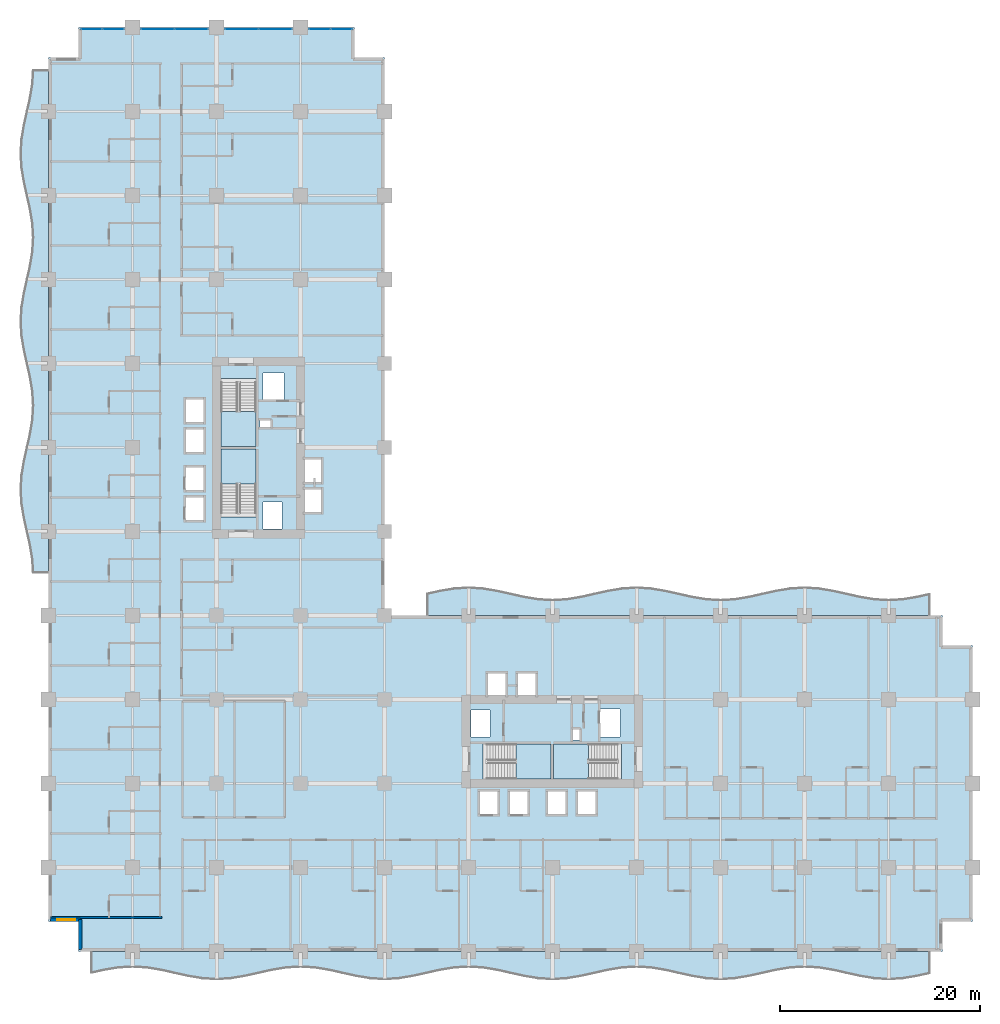
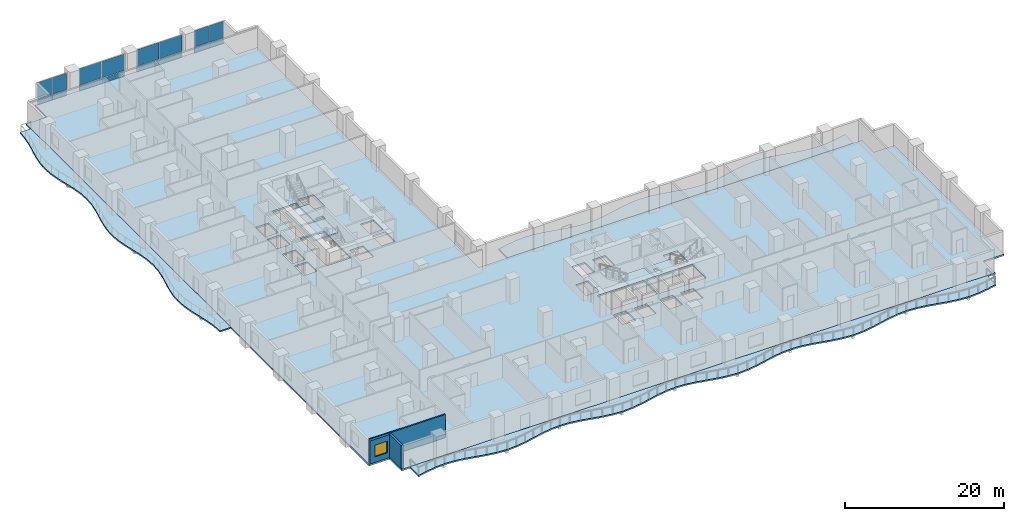
# One storey, part 6 of 23: 16 plates, 8 slabs, 3 walls, 1 window, 1 opening, 8 elements without a shape of their own.
"""IFC4 building model written with IfcOpenShell, lengths in metres."""

from ifc_helpers import new_model, si_unit, direction, frame, frame_2d, origin, origin_2d, place, context, subcontext, project, spatial, polyline, rectangle, outline, extrude, material, layer, layer_set, type_object, element, fill, aggregate, save


model = new_model("IFC4")

# Units and contexts
model_context = context("Model", 3, precision=1e-05, world=origin(), true_north=direction((0.0, 1.0)))
body_context = subcontext(model_context, "Body", "Model", "MODEL_VIEW")
ifc_project = project(units=[si_unit("LENGTHUNIT", "METRE"), si_unit("AREAUNIT", "SQUARE_METRE"), si_unit("VOLUMEUNIT", "CUBIC_METRE"), si_unit("PLANEANGLEUNIT", "RADIAN"), si_unit("MASSUNIT", "GRAM", prefix="KILO")], contexts=[model_context])

# Site, building, storey
site_placement = place(None, origin())
site = spatial("IfcSite", under=ifc_project, at=site_placement, CompositionType="ELEMENT")
building_placement = place(site_placement, origin())
building = spatial("IfcBuilding", under=site, at=building_placement, Name="Koriwani Terraces Tower", CompositionType="ELEMENT")
storey_placement = place(building_placement, frame((0.0, 0.0, 32.0)))
storey = spatial("IfcBuildingStorey", under=building, at=storey_placement, Name="L06", CompositionType="ELEMENT", Elevation=32.0)

# Curtain wall, plates
ifc_material_1 = material(Name="Anodised Bronze Aluminium", Category="aluminium")
ifc_layer_1 = layer(ifc_material_1, 0.179931640625, Name="Anodised Bronze Aluminium")
ifc_layer_set_1 = layer_set([ifc_layer_1], Name="Anodised Bronze Aluminium")
curtain_wall_type = type_object("IfcCurtainWallType", Name="CW_HOTEL_ZONE1", PredefinedType="NOTDEFINED", material=ifc_layer_set_1)
curtain_wall_1_placement = place(storey_placement, origin())
curtain_wall_1 = element("IfcCurtainWall", 1, at=curtain_wall_1_placement, inside=storey, type_object=curtain_wall_type, Name="L06 Unitised Curtain Wall (N_TIP) Bay 1", PredefinedType="NOTDEFINED")
ifc_material_2 = material(Name="Tempered Laminated Low-E Glass", Category="glass")
ifc_layer_2 = layer(ifc_material_2, 0.028076171875, Name="Tempered Laminated Low-E Glass")
ifc_layer_set_2 = layer_set([ifc_layer_2], Name="Tempered Laminated Low-E Glass")
plate_type = type_object("IfcPlateType", Name="CW_PANEL_VISION_28", PredefinedType="CURTAIN_PANEL", material=ifc_layer_set_2)
plate_1_placement = place(storey_placement, frame((4.297607421875, 92.22509765625, 0.06494140625), z_axis=(0.0, 0.0, 1.0), x_axis=(1.0, 0.0, 0.0)))
plate_1 = element("IfcPlate", 2, at=plate_1_placement, type_object=plate_type, Name="CW-Z1 panel 1.1", PredefinedType="CURTAIN_PANEL", context=body_context, shape_type="SweptSolid", body=[
    extrude(rectangle(XDim=2.094970703125, YDim=0.028076171875, at=origin_2d()), origin(), (0.0, 0.0, 1.0), 0.802490234375),
])
plate_2_placement = place(storey_placement, frame((4.297607421875, 92.22509765625, 0.9326171875), z_axis=(0.0, 0.0, 1.0), x_axis=(1.0, 0.0, 0.0)))
plate_2 = element("IfcPlate", 3, at=plate_2_placement, type_object=plate_type, Name="CW-Z1 panel 1.2", PredefinedType="CURTAIN_PANEL", context=body_context, shape_type="SweptSolid", body=[
    extrude(rectangle(XDim=2.094970703125, YDim=0.028076171875, at=origin_2d()), origin(), (0.0, 0.0, 1.0), 2.552490234375),
])
plate_3_placement = place(storey_placement, frame((6.467529296875, 92.22509765625, 0.06494140625), z_axis=(0.0, 0.0, 1.0), x_axis=(1.0, 0.0, 0.0)))
plate_3 = element("IfcPlate", 4, at=plate_3_placement, type_object=plate_type, Name="CW-Z1 panel 2.1", PredefinedType="CURTAIN_PANEL", context=body_context, shape_type="SweptSolid", body=[
    extrude(rectangle(XDim=2.094970703125, YDim=0.028076171875, at=origin_2d()), origin(), (0.0, 0.0, 1.0), 0.802490234375),
])
plate_4_placement = place(storey_placement, frame((6.467529296875, 92.22509765625, 0.9326171875), z_axis=(0.0, 0.0, 1.0), x_axis=(1.0, 0.0, 0.0)))
plate_4 = element("IfcPlate", 5, at=plate_4_placement, type_object=plate_type, Name="CW-Z1 panel 2.2", PredefinedType="CURTAIN_PANEL", context=body_context, shape_type="SweptSolid", body=[
    extrude(rectangle(XDim=2.094970703125, YDim=0.028076171875, at=origin_2d()), origin(), (0.0, 0.0, 1.0), 2.552490234375),
])
aggregate(curtain_wall_1, [plate_1, plate_2, plate_3, plate_4])

curtain_wall_2_placement = place(storey_placement, origin())
curtain_wall_2 = element("IfcCurtainWall", 6, at=curtain_wall_2_placement, inside=storey, type_object=curtain_wall_type, Name="L06 Unitised Curtain Wall (N_TIP) Bay 2", PredefinedType="NOTDEFINED")
plate_5_placement = place(storey_placement, frame((10.923828125, 92.22509765625, 0.06494140625), z_axis=(0.0, 0.0, 1.0), x_axis=(1.0, 0.0, 0.0)))
plate_5 = element("IfcPlate", 7, at=plate_5_placement, type_object=plate_type, Name="CW-Z1 panel 1.1", PredefinedType="CURTAIN_PANEL", context=body_context, shape_type="SweptSolid", body=[
    extrude(rectangle(XDim=3.277587890625, YDim=0.028076171875, at=origin_2d()), origin(), (0.0, 0.0, 1.0), 0.802490234375),
])
plate_6_placement = place(storey_placement, frame((10.923828125, 92.22509765625, 0.9326171875), z_axis=(0.0, 0.0, 1.0), x_axis=(1.0, 0.0, 0.0)))
plate_6 = element("IfcPlate", 8, at=plate_6_placement, type_object=plate_type, Name="CW-Z1 panel 1.2", PredefinedType="CURTAIN_PANEL", context=body_context, shape_type="SweptSolid", body=[
    extrude(rectangle(XDim=3.277587890625, YDim=0.028076171875, at=origin_2d()), origin(), (0.0, 0.0, 1.0), 2.552490234375),
])
plate_7_placement = place(storey_placement, frame((14.2763671875, 92.22509765625, 0.06494140625), z_axis=(0.0, 0.0, 1.0), x_axis=(1.0, 0.0, 0.0)))
plate_7 = element("IfcPlate", 9, at=plate_7_placement, type_object=plate_type, Name="CW-Z1 panel 2.1", PredefinedType="CURTAIN_PANEL", context=body_context, shape_type="SweptSolid", body=[
    extrude(rectangle(XDim=3.277587890625, YDim=0.028076171875, at=origin_2d()), origin(), (0.0, 0.0, 1.0), 0.802490234375),
])
plate_8_placement = place(storey_placement, frame((14.2763671875, 92.22509765625, 0.9326171875), z_axis=(0.0, 0.0, 1.0), x_axis=(1.0, 0.0, 0.0)))
plate_8 = element("IfcPlate", 10, at=plate_8_placement, type_object=plate_type, Name="CW-Z1 panel 2.2", PredefinedType="CURTAIN_PANEL", context=body_context, shape_type="SweptSolid", body=[
    extrude(rectangle(XDim=3.277587890625, YDim=0.028076171875, at=origin_2d()), origin(), (0.0, 0.0, 1.0), 2.552490234375),
])
aggregate(curtain_wall_2, [plate_5, plate_6, plate_7, plate_8])

curtain_wall_3_placement = place(storey_placement, origin())
curtain_wall_3 = element("IfcCurtainWall", 11, at=curtain_wall_3_placement, inside=storey, type_object=curtain_wall_type, Name="L06 Unitised Curtain Wall (N_TIP) Bay 3", PredefinedType="NOTDEFINED")
plate_9_placement = place(storey_placement, frame((19.32373046875, 92.22509765625, 0.06494140625), z_axis=(0.0, 0.0, 1.0), x_axis=(1.0, 0.0, 0.0)))
plate_9 = element("IfcPlate", 12, at=plate_9_placement, type_object=plate_type, Name="CW-Z1 panel 1.1", PredefinedType="CURTAIN_PANEL", context=body_context, shape_type="SweptSolid", body=[
    extrude(rectangle(XDim=3.277587890625, YDim=0.028076171875, at=origin_2d()), origin(), (0.0, 0.0, 1.0), 0.802490234375),
])
plate_10_placement = place(storey_placement, frame((19.32373046875, 92.22509765625, 0.9326171875), z_axis=(0.0, 0.0, 1.0), x_axis=(1.0, 0.0, 0.0)))
plate_10 = element("IfcPlate", 13, at=plate_10_placement, type_object=plate_type, Name="CW-Z1 panel 1.2", PredefinedType="CURTAIN_PANEL", context=body_context, shape_type="SweptSolid", body=[
    extrude(rectangle(XDim=3.277587890625, YDim=0.028076171875, at=origin_2d()), origin(), (0.0, 0.0, 1.0), 2.552490234375),
])
plate_11_placement = place(storey_placement, frame((22.67626953125, 92.22509765625, 0.06494140625), z_axis=(0.0, 0.0, 1.0), x_axis=(1.0, 0.0, 0.0)))
plate_11 = element("IfcPlate", 14, at=plate_11_placement, type_object=plate_type, Name="CW-Z1 panel 2.1", PredefinedType="CURTAIN_PANEL", context=body_context, shape_type="SweptSolid", body=[
    extrude(rectangle(XDim=3.277587890625, YDim=0.028076171875, at=origin_2d()), origin(), (0.0, 0.0, 1.0), 0.802490234375),
])
plate_12_placement = place(storey_placement, frame((22.67626953125, 92.22509765625, 0.9326171875), z_axis=(0.0, 0.0, 1.0), x_axis=(1.0, 0.0, 0.0)))
plate_12 = element("IfcPlate", 15, at=plate_12_placement, type_object=plate_type, Name="CW-Z1 panel 2.2", PredefinedType="CURTAIN_PANEL", context=body_context, shape_type="SweptSolid", body=[
    extrude(rectangle(XDim=3.277587890625, YDim=0.028076171875, at=origin_2d()), origin(), (0.0, 0.0, 1.0), 2.552490234375),
])
aggregate(curtain_wall_3, [plate_9, plate_10, plate_11, plate_12])

curtain_wall_4_placement = place(storey_placement, origin())
curtain_wall_4 = element("IfcCurtainWall", 16, at=curtain_wall_4_placement, inside=storey, type_object=curtain_wall_type, Name="L06 Unitised Curtain Wall (N_TIP) Bay 4", PredefinedType="NOTDEFINED")
plate_13_placement = place(storey_placement, frame((27.132568359375, 92.22509765625, 0.06494140625), z_axis=(0.0, 0.0, 1.0), x_axis=(1.0, 0.0, 0.0)))
plate_13 = element("IfcPlate", 17, at=plate_13_placement, type_object=plate_type, Name="CW-Z1 panel 1.1", PredefinedType="CURTAIN_PANEL", context=body_context, shape_type="SweptSolid", body=[
    extrude(rectangle(XDim=2.094970703125, YDim=0.028076171875, at=origin_2d()), origin(), (0.0, 0.0, 1.0), 0.802490234375),
])
plate_14_placement = place(storey_placement, frame((27.132568359375, 92.22509765625, 0.9326171875), z_axis=(0.0, 0.0, 1.0), x_axis=(1.0, 0.0, 0.0)))
plate_14 = element("IfcPlate", 18, at=plate_14_placement, type_object=plate_type, Name="CW-Z1 panel 1.2", PredefinedType="CURTAIN_PANEL", context=body_context, shape_type="SweptSolid", body=[
    extrude(rectangle(XDim=2.094970703125, YDim=0.028076171875, at=origin_2d()), origin(), (0.0, 0.0, 1.0), 2.552490234375),
])
plate_15_placement = place(storey_placement, frame((29.302490234375, 92.22509765625, 0.06494140625), z_axis=(0.0, 0.0, 1.0), x_axis=(1.0, 0.0, 0.0)))
plate_15 = element("IfcPlate", 19, at=plate_15_placement, type_object=plate_type, Name="CW-Z1 panel 2.1", PredefinedType="CURTAIN_PANEL", context=body_context, shape_type="SweptSolid", body=[
    extrude(rectangle(XDim=2.094970703125, YDim=0.028076171875, at=origin_2d()), origin(), (0.0, 0.0, 1.0), 0.802490234375),
])
plate_16_placement = place(storey_placement, frame((29.302490234375, 92.22509765625, 0.9326171875), z_axis=(0.0, 0.0, 1.0), x_axis=(1.0, 0.0, 0.0)))
plate_16 = element("IfcPlate", 20, at=plate_16_placement, type_object=plate_type, Name="CW-Z1 panel 2.2", PredefinedType="CURTAIN_PANEL", context=body_context, shape_type="SweptSolid", body=[
    extrude(rectangle(XDim=2.094970703125, YDim=0.028076171875, at=origin_2d()), origin(), (0.0, 0.0, 1.0), 2.552490234375),
])
aggregate(curtain_wall_4, [plate_13, plate_14, plate_15, plate_16])

# Slabs
ifc_material_3 = material(Name="Concrete C40/50", Category="concrete")
ifc_layer_3 = layer(ifc_material_3, 0.219970703125, Name="Concrete C40/50")
ifc_layer_set_3 = layer_set([ifc_layer_3], Name="Concrete C40/50")
slab_type_1 = type_object("IfcSlabType", Name="SLAB_BALCONY_220", PredefinedType="FLOOR", material=ifc_layer_set_3)
slab_1_placement = place(storey_placement, frame((0.0, 0.0, -0.219970703125)))
element("IfcSlab", 21, at=slab_1_placement, inside=storey, type_object=slab_type_1, Name="L06 Quilted Circular-Arc Balcony (S)", PredefinedType="FLOOR", context=body_context, shape_type="SweptSolid", body=[
    extrude(outline(polyline([(4.199951171875, 0.0), (5.60009765625, 0.0), (7.0, 0.0), (8.39990234375, 0.0), (9.800048828125, 0.0), (11.199951171875, 0.0), (12.60009765625, 0.0), (14.0, 0.0), (15.39990234375, 0.0), (16.800048828125, 0.0), (18.199951171875, 0.0), (19.60009765625, 0.0), (21.0, 0.0), (22.39990234375, 0.0), (23.800048828125, 0.0), (25.199951171875, 0.0), (26.60009765625, 0.0), (28.0, 0.0), (29.39990234375, 0.0), (30.800048828125, 0.0), (32.199951171875, 0.0), (33.60009765625, 0.0), (35.0, 0.0), (36.39990234375, 0.0), (37.800048828125, 0.0), (39.199951171875, 0.0), (40.60009765625, 0.0), (42.0, 0.0), (43.39990234375, 0.0), (44.800048828125, 0.0), (46.199951171875, 0.0), (47.60009765625, 0.0), (49.0, 0.0), (50.39990234375, 0.0), (51.800048828125, 0.0), (53.199951171875, 0.0), (54.60009765625, 0.0), (56.0, 0.0), (57.39990234375, 0.0), (58.800048828125, 0.0), (60.199951171875, 0.0), (61.60009765625, 0.0), (63.0, 0.0), (64.39990234375, 0.0), (65.800048828125, 0.0), (67.199951171875, 0.0), (68.60009765625, 0.0), (70.0, 0.0), (71.39990234375, 0.0), (72.800048828125, 0.0), (74.199951171875, 0.0), (75.60009765625, 0.0), (77.0, 0.0), (78.39990234375, 0.0), (79.800048828125, 0.0), (81.199951171875, 0.0), (82.60009765625, 0.0), (84.0, 0.0), (85.39990234375, 0.0), (86.800048828125, 0.0), (88.199951171875, 0.0), (88.199951171875, -2.22509765625), (86.800048828125, -2.53759765625), (85.39990234375, -2.766357421875), (84.0, -2.85009765625), (82.60009765625, -2.766357421875), (81.199951171875, -2.53759765625), (79.800048828125, -2.22509765625), (78.39990234375, -1.91259765625), (77.0, -1.68359375), (75.60009765625, -1.60009765625), (74.199951171875, -1.68359375), (72.800048828125, -1.91259765625), (71.39990234375, -2.22509765625), (70.0, -2.53759765625), (68.60009765625, -2.766357421875), (67.199951171875, -2.85009765625), (65.800048828125, -2.766357421875), (64.39990234375, -2.53759765625), (63.0, -2.22509765625), (61.60009765625, -1.91259765625), (60.199951171875, -1.68359375), (58.800048828125, -1.60009765625), (57.39990234375, -1.68359375), (56.0, -1.91259765625), (54.60009765625, -2.22509765625), (53.199951171875, -2.53759765625), (51.800048828125, -2.766357421875), (50.39990234375, -2.85009765625), (49.0, -2.766357421875), (47.60009765625, -2.53759765625), (46.199951171875, -2.22509765625), (44.800048828125, -1.91259765625), (43.39990234375, -1.68359375), (42.0, -1.60009765625), (40.60009765625, -1.68359375), (39.199951171875, -1.91259765625), (37.800048828125, -2.22509765625), (36.39990234375, -2.53759765625), (35.0, -2.766357421875), (33.60009765625, -2.85009765625), (32.199951171875, -2.766357421875), (30.800048828125, -2.53759765625), (29.39990234375, -2.22509765625), (28.0, -1.91259765625), (26.60009765625, -1.68359375), (25.199951171875, -1.60009765625), (23.800048828125, -1.68359375), (22.39990234375, -1.91259765625), (21.0, -2.22509765625), (19.60009765625, -2.53759765625), (18.199951171875, -2.766357421875), (16.800048828125, -2.85009765625), (15.39990234375, -2.766357421875), (14.0, -2.53759765625), (12.60009765625, -2.22509765625), (11.199951171875, -1.91259765625), (9.800048828125, -1.68359375), (8.39990234375, -1.60009765625), (7.0, -1.68359375), (5.60009765625, -1.91259765625), (4.199951171875, -2.22509765625), (4.199951171875, 0.0)])), origin(), (0.0, 0.0, 1.0), 0.219970703125),
])
slab_2_placement = place(storey_placement, frame((0.0, 0.0, -0.219970703125)))
element("IfcSlab", 22, at=slab_2_placement, inside=storey, type_object=slab_type_1, Name="L06 Quilted Circular-Arc Balcony (W)", PredefinedType="FLOOR", context=body_context, shape_type="SweptSolid", body=[
    extrude(outline(polyline([(0.0, 37.800048828125), (0.0, 39.199951171875), (0.0, 40.60009765625), (0.0, 42.0), (0.0, 43.39990234375), (0.0, 44.800048828125), (0.0, 46.199951171875), (0.0, 47.60009765625), (0.0, 49.0), (0.0, 50.39990234375), (0.0, 51.800048828125), (0.0, 53.199951171875), (0.0, 54.60009765625), (0.0, 56.0), (0.0, 57.39990234375), (0.0, 58.800048828125), (0.0, 60.199951171875), (0.0, 61.60009765625), (0.0, 63.0), (0.0, 64.39990234375), (0.0, 65.800048828125), (0.0, 67.199951171875), (0.0, 68.60009765625), (0.0, 70.0), (0.0, 71.39990234375), (0.0, 72.800048828125), (0.0, 74.199951171875), (0.0, 75.60009765625), (0.0, 77.0), (0.0, 78.39990234375), (0.0, 79.800048828125), (0.0, 81.199951171875), (0.0, 82.60009765625), (0.0, 84.0), (0.0, 85.39990234375), (0.0, 86.800048828125), (0.0, 88.199951171875), (-1.60009765625, 88.199951171875), (-1.68359375, 86.800048828125), (-1.91259765625, 85.39990234375), (-2.22509765625, 84.0), (-2.53759765625, 82.60009765625), (-2.766357421875, 81.199951171875), (-2.85009765625, 79.800048828125), (-2.766357421875, 78.39990234375), (-2.53759765625, 77.0), (-2.22509765625, 75.60009765625), (-1.91259765625, 74.199951171875), (-1.68359375, 72.800048828125), (-1.60009765625, 71.39990234375), (-1.68359375, 70.0), (-1.91259765625, 68.60009765625), (-2.22509765625, 67.199951171875), (-2.53759765625, 65.800048828125), (-2.766357421875, 64.39990234375), (-2.85009765625, 63.0), (-2.766357421875, 61.60009765625), (-2.53759765625, 60.199951171875), (-2.22509765625, 58.800048828125), (-1.91259765625, 57.39990234375), (-1.68359375, 56.0), (-1.60009765625, 54.60009765625), (-1.68359375, 53.199951171875), (-1.91259765625, 51.800048828125), (-2.22509765625, 50.39990234375), (-2.53759765625, 49.0), (-2.766357421875, 47.60009765625), (-2.85009765625, 46.199951171875), (-2.766357421875, 44.800048828125), (-2.53759765625, 43.39990234375), (-2.22509765625, 42.0), (-1.91259765625, 40.60009765625), (-1.68359375, 39.199951171875), (-1.60009765625, 37.800048828125), (0.0, 37.800048828125)])), origin(), (0.0, 0.0, 1.0), 0.219970703125),
])
slab_3_placement = place(storey_placement, frame((0.0, 0.0, -0.219970703125)))
element("IfcSlab", 23, at=slab_3_placement, inside=storey, type_object=slab_type_1, Name="L06 Quilted Circular-Arc Balcony (NE)", PredefinedType="FLOOR", context=body_context, shape_type="SweptSolid", body=[
    extrude(outline(polyline([(88.199951171875, 33.60009765625), (86.800048828125, 33.60009765625), (85.39990234375, 33.60009765625), (84.0, 33.60009765625), (82.60009765625, 33.60009765625), (81.199951171875, 33.60009765625), (79.800048828125, 33.60009765625), (78.39990234375, 33.60009765625), (77.0, 33.60009765625), (75.60009765625, 33.60009765625), (74.199951171875, 33.60009765625), (72.800048828125, 33.60009765625), (71.39990234375, 33.60009765625), (70.0, 33.60009765625), (68.60009765625, 33.60009765625), (67.199951171875, 33.60009765625), (65.800048828125, 33.60009765625), (64.39990234375, 33.60009765625), (63.0, 33.60009765625), (61.60009765625, 33.60009765625), (60.199951171875, 33.60009765625), (58.800048828125, 33.60009765625), (57.39990234375, 33.60009765625), (56.0, 33.60009765625), (54.60009765625, 33.60009765625), (53.199951171875, 33.60009765625), (51.800048828125, 33.60009765625), (50.39990234375, 33.60009765625), (49.0, 33.60009765625), (47.60009765625, 33.60009765625), (46.199951171875, 33.60009765625), (44.800048828125, 33.60009765625), (43.39990234375, 33.60009765625), (42.0, 33.60009765625), (40.60009765625, 33.60009765625), (39.199951171875, 33.60009765625), (37.800048828125, 33.60009765625), (37.800048828125, 35.824951171875), (39.199951171875, 36.137451171875), (40.60009765625, 36.3662109375), (42.0, 36.449951171875), (43.39990234375, 36.3662109375), (44.800048828125, 36.137451171875), (46.199951171875, 35.824951171875), (47.60009765625, 35.512451171875), (49.0, 35.28369140625), (50.39990234375, 35.199951171875), (51.800048828125, 35.28369140625), (53.199951171875, 35.512451171875), (54.60009765625, 35.824951171875), (56.0, 36.137451171875), (57.39990234375, 36.3662109375), (58.800048828125, 36.449951171875), (60.199951171875, 36.3662109375), (61.60009765625, 36.137451171875), (63.0, 35.824951171875), (64.39990234375, 35.512451171875), (65.800048828125, 35.28369140625), (67.199951171875, 35.199951171875), (68.60009765625, 35.28369140625), (70.0, 35.512451171875), (71.39990234375, 35.824951171875), (72.800048828125, 36.137451171875), (74.199951171875, 36.3662109375), (75.60009765625, 36.449951171875), (77.0, 36.3662109375), (78.39990234375, 36.137451171875), (79.800048828125, 35.824951171875), (81.199951171875, 35.512451171875), (82.60009765625, 35.28369140625), (84.0, 35.199951171875), (85.39990234375, 35.28369140625), (86.800048828125, 35.512451171875), (88.199951171875, 35.824951171875), (88.199951171875, 33.60009765625)])), origin(), (0.0, 0.0, 1.0), 0.219970703125),
])

# Stair, slab
stair_type = type_object("IfcStairType", Name="STAIR_CORE_DOGLEG_1650", PredefinedType="TWO_STRAIGHT_RUN_STAIR", material=ifc_material_3)
stair_1_placement = place(storey_placement, origin())
stair_1 = element("IfcStair", 24, at=stair_1_placement, inside=storey, type_object=stair_type, Name="L06 West Core Exit Stair 1", PredefinedType="HALF_TURN_STAIR")
ifc_layer_4 = layer(ifc_material_3, 0.199951171875, Name="Concrete C40/50")
ifc_layer_set_4 = layer_set([ifc_layer_4], Name="Concrete C40/50")
slab_type_2 = type_object("IfcSlabType", Name="SLAB_STAIR_LANDING_200", PredefinedType="LANDING", material=ifc_layer_set_4)
slab_4_placement = place(storey_placement, frame((0.0, 0.0, 1.699951171875)))
slab_4 = element("IfcSlab", 25, at=slab_4_placement, type_object=slab_type_2, Name="ST-W1 landing 1", PredefinedType="LANDING", context=body_context, shape_type="SweptSolid", body=[
    extrude(outline(polyline([(20.75, 46.75), (20.75, 50.25), (17.25, 50.25), (17.25, 46.75), (20.75, 46.75)])), origin(), (0.0, 0.0, 1.0), 0.199951171875),
])
aggregate(stair_1, [slab_4])

stair_2_placement = place(storey_placement, origin())
stair_2 = element("IfcStair", 26, at=stair_2_placement, inside=storey, type_object=stair_type, Name="L06 West Core Exit Stair 2", PredefinedType="HALF_TURN_STAIR")
slab_5_placement = place(storey_placement, frame((0.0, 0.0, 1.699951171875)))
slab_5 = element("IfcSlab", 27, at=slab_5_placement, type_object=slab_type_2, Name="ST-W2 landing 1", PredefinedType="LANDING", context=body_context, shape_type="SweptSolid", body=[
    extrude(outline(polyline([(17.25, 54.0), (17.25, 50.5), (20.75, 50.5), (20.75, 54.0), (17.25, 54.0)])), origin(), (0.0, 0.0, 1.0), 0.199951171875),
])
aggregate(stair_2, [slab_5])

stair_3_placement = place(storey_placement, origin())
stair_3 = element("IfcStair", 28, at=stair_3_placement, inside=storey, type_object=stair_type, Name="L06 East Core Exit Stair 1", PredefinedType="HALF_TURN_STAIR")
slab_6_placement = place(storey_placement, frame((0.0, 0.0, 1.699951171875)))
slab_6 = element("IfcSlab", 29, at=slab_6_placement, type_object=slab_type_2, Name="ST-E1 landing 1", PredefinedType="LANDING", context=body_context, shape_type="SweptSolid", body=[
    extrude(outline(polyline([(46.75, 17.25), (50.25, 17.25), (50.25, 20.75), (46.75, 20.75), (46.75, 17.25)])), origin(), (0.0, 0.0, 1.0), 0.199951171875),
])
aggregate(stair_3, [slab_6])

stair_4_placement = place(storey_placement, origin())
stair_4 = element("IfcStair", 30, at=stair_4_placement, inside=storey, type_object=stair_type, Name="L06 East Core Exit Stair 2", PredefinedType="HALF_TURN_STAIR")
slab_7_placement = place(storey_placement, frame((0.0, 0.0, 1.699951171875)))
slab_7 = element("IfcSlab", 31, at=slab_7_placement, type_object=slab_type_2, Name="ST-E2 landing 1", PredefinedType="LANDING", context=body_context, shape_type="SweptSolid", body=[
    extrude(outline(polyline([(54.0, 20.75), (50.5, 20.75), (50.5, 17.25), (54.0, 17.25), (54.0, 20.75)])), origin(), (0.0, 0.0, 1.0), 0.199951171875),
])
aggregate(stair_4, [slab_7])

# Slab
ifc_layer_5 = layer(ifc_material_3, 0.25, Name="Concrete C40/50")
ifc_layer_set_5 = layer_set([ifc_layer_5], Name="Concrete C40/50")
slab_type_3 = type_object("IfcSlabType", Name="SLAB_TOWER_TYP_250", PredefinedType="FLOOR", material=ifc_layer_set_5)
slab_8_placement = place(storey_placement, frame((0.0, 0.0, -0.25)))
element("IfcSlab", 32, at=slab_8_placement, inside=storey, type_object=slab_type_3, Name="L06 Structural Floor Slab", PredefinedType="FLOOR", context=body_context, shape_type="SweptSolid", body=[
    extrude(outline(polyline([(3.0, 0.0), (89.39990234375, 0.0), (89.39990234375, 3.0), (92.39990234375, 3.0), (92.39990234375, 30.60009765625), (89.39990234375, 30.60009765625), (89.39990234375, 33.60009765625), (33.60009765625, 33.60009765625), (33.60009765625, 89.39990234375), (30.60009765625, 89.39990234375), (30.60009765625, 92.39990234375), (3.0, 92.39990234375), (3.0, 89.39990234375), (0.0, 89.39990234375), (0.0, 3.0), (3.0, 3.0), (3.0, 0.0)]), holes=[polyline([(17.25, 43.4599609375), (20.75, 43.4599609375), (20.75, 50.25), (17.25, 50.25), (17.25, 43.4599609375)]), polyline([(17.25, 50.5), (20.75, 50.5), (20.75, 57.2900390625), (17.25, 57.2900390625), (17.25, 50.5)]), polyline([(43.4599609375, 17.25), (50.25, 17.25), (50.25, 20.75), (43.4599609375, 20.75), (43.4599609375, 17.25)]), polyline([(50.5, 17.25), (57.2900390625, 17.25), (57.2900390625, 20.75), (50.5, 20.75), (50.5, 17.25)]), polyline([(13.64990234375, 43.050048828125), (15.550048828125, 43.050048828125), (15.550048828125, 45.449951171875), (13.64990234375, 45.449951171875), (13.64990234375, 43.050048828125)]), polyline([(13.64990234375, 46.050048828125), (15.550048828125, 46.050048828125), (15.550048828125, 48.449951171875), (13.64990234375, 48.449951171875), (13.64990234375, 46.050048828125)]), polyline([(43.050048828125, 13.64990234375), (44.949951171875, 13.64990234375), (44.949951171875, 16.050048828125), (43.050048828125, 16.050048828125), (43.050048828125, 13.64990234375)]), polyline([(46.050048828125, 13.64990234375), (47.949951171875, 13.64990234375), (47.949951171875, 16.050048828125), (46.050048828125, 16.050048828125), (46.050048828125, 13.64990234375)]), polyline([(13.64990234375, 49.85009765625), (15.550048828125, 49.85009765625), (15.550048828125, 52.25), (13.64990234375, 52.25), (13.64990234375, 49.85009765625)]), polyline([(13.64990234375, 52.85009765625), (15.550048828125, 52.85009765625), (15.550048828125, 55.25), (13.64990234375, 55.25), (13.64990234375, 52.85009765625)]), polyline([(49.85009765625, 13.64990234375), (51.75, 13.64990234375), (51.75, 16.050048828125), (49.85009765625, 16.050048828125), (49.85009765625, 13.64990234375)]), polyline([(52.85009765625, 13.64990234375), (54.75, 13.64990234375), (54.75, 16.050048828125), (52.85009765625, 16.050048828125), (52.85009765625, 13.64990234375)]), polyline([(25.449951171875, 43.85009765625), (27.35009765625, 43.85009765625), (27.35009765625, 46.25), (25.449951171875, 46.25), (25.449951171875, 43.85009765625)]), polyline([(25.449951171875, 46.85009765625), (27.35009765625, 46.85009765625), (27.35009765625, 49.25), (25.449951171875, 49.25), (25.449951171875, 46.85009765625)]), polyline([(43.85009765625, 25.449951171875), (45.75, 25.449951171875), (45.75, 27.85009765625), (43.85009765625, 27.85009765625), (43.85009765625, 25.449951171875)]), polyline([(46.85009765625, 25.449951171875), (48.75, 25.449951171875), (48.75, 27.85009765625), (46.85009765625, 27.85009765625), (46.85009765625, 25.449951171875)]), polyline([(21.449951171875, 55.050048828125), (23.550048828125, 55.050048828125), (23.550048828125, 57.85009765625), (21.449951171875, 57.85009765625), (21.449951171875, 55.050048828125)]), polyline([(55.050048828125, 21.449951171875), (57.14990234375, 21.449951171875), (57.14990234375, 24.25), (55.050048828125, 24.25), (55.050048828125, 21.449951171875)]), polyline([(21.449951171875, 42.25), (23.35009765625, 42.25), (23.35009765625, 44.949951171875), (21.449951171875, 44.949951171875), (21.449951171875, 42.25)]), polyline([(42.25, 21.449951171875), (44.14990234375, 21.449951171875), (44.14990234375, 24.14990234375), (42.25, 24.14990234375), (42.25, 21.449951171875)]), polyline([(21.14990234375, 52.419921875), (22.219970703125, 52.419921875), (22.219970703125, 53.179931640625), (21.14990234375, 53.179931640625), (21.14990234375, 52.419921875)]), polyline([(52.419921875, 21.14990234375), (53.179931640625, 21.14990234375), (53.179931640625, 22.219970703125), (52.419921875, 22.219970703125), (52.419921875, 21.14990234375)])]), origin(), (0.0, 0.0, 1.0), 0.25),
])

# Walls
ifc_material_4 = material(Name="Autoclaved Cellular Concrete Blockwork", Category="masonry")
ifc_layer_6 = layer(ifc_material_4, 0.219970703125, Name="Autoclaved Cellular Concrete Blockwork")
ifc_layer_set_6 = layer_set([ifc_layer_6], Name="Autoclaved Cellular Concrete Blockwork")
wall_type_1 = type_object("IfcWallType", Name="WALL_DEMISING_220", PredefinedType="PARTITIONING", material=ifc_layer_set_6)
wall_1_placement = place(storey_placement, frame((0.199951171875, 3.39990234375, 0.0), z_axis=(0.0, 0.0, 1.0), x_axis=(1.0, 0.0, 0.0)))
element("IfcWall", 33, at=wall_1_placement, inside=storey, type_object=wall_type_1, Name="L06 Interior Wall WDEM-L06-NW-0", PredefinedType="PARTITIONING", context=body_context, shape_type="SweptSolid", body=[
    extrude(rectangle(XDim=11.130126953125, YDim=0.219970703125, at=frame_2d((5.56494140625, 0.0))), origin(), (0.0, 0.0, 1.0), 3.550048828125),
])
ifc_material_5 = material(Name="Concrete C50/60", Category="concrete")
ifc_layer_7 = layer(ifc_material_5, 0.35009765625, Name="Concrete C50/60")
ifc_layer_set_7 = layer_set([ifc_layer_7], Name="Concrete C50/60")
wall_type_2 = type_object("IfcWallType", Name="WALL_EXT_BRUTALIST_350", PredefinedType="STANDARD", material=ifc_layer_set_7)
wall_2_placement = place(storey_placement, frame((3.175048828125, 0.175048828125, 0.0), z_axis=(0.0, 0.0, 1.0), x_axis=(0.0, 1.0, 0.0)))
element("IfcWall", 34, at=wall_2_placement, inside=storey, type_object=wall_type_2, Name="L06 Fair-Faced Brutalist Exterior Wall (N0)", PredefinedType="STANDARD", context=body_context, shape_type="SweptSolid", body=[
    extrude(rectangle(XDim=3.0, YDim=0.35009765625, at=frame_2d((1.5, 0.0))), origin(), (0.0, 0.0, 1.0), 3.550048828125),
])

# Wall, opening, window
wall_3_placement = place(storey_placement, frame((3.175048828125, 3.175048828125, 0.0), z_axis=(0.0, 0.0, 1.0), x_axis=(-1.0, 0.0, 0.0)))
wall_3 = element("IfcWall", 35, at=wall_3_placement, inside=storey, type_object=wall_type_2, Name="L06 Fair-Faced Brutalist Exterior Wall (N1)", PredefinedType="STANDARD", context=body_context, shape_type="SweptSolid", body=[
    extrude(rectangle(XDim=3.0, YDim=0.35009765625, at=frame_2d((1.5, 0.0))), origin(), (0.0, 0.0, 1.0), 3.550048828125),
])
opening_placement = place(wall_3_placement, frame((0.5224609375, 0.0, 0.85009765625)))
opening = element("IfcOpeningElement", 36, at=opening_placement, cuts=wall_3, Name="Opening W-04", PredefinedType="OPENING", context=body_context, shape_type="SweptSolid", body=[
    extrude(rectangle(XDim=1.800048828125, YDim=1.800048828125, at=frame_2d((0.89990234375, 0.89990234375))), frame((0.0, 0.18505859375, 0.0), z_axis=(0.0, -1.0, 0.0), x_axis=(1.0, 0.0, 0.0)), (0.0, 0.0, 1.0), 0.3701171875),
])
window_type = type_object("IfcWindowType", Name="WIN_RES_BED_1800X1800", PartitioningType="DOUBLE_PANEL_VERTICAL", PredefinedType="WINDOW", material=ifc_material_2)
window_placement = place(opening_placement, origin())
window = element("IfcWindow", 37, at=window_placement, inside=storey, type_object=window_type, Name="L06 Exterior Window (N1-R35)", OverallHeight=1.800048828125, OverallWidth=1.800048828125, PartitioningType="SINGLE_PANEL", PredefinedType="WINDOW", context=body_context, shape_type="SweptSolid", body=[
    extrude(rectangle(XDim=1.800048828125, YDim=1.800048828125, at=frame_2d((0.89990234375, 0.89990234375))), frame((0.0, 0.030029296875, 0.0), z_axis=(0.0, -1.0, 0.0), x_axis=(1.0, 0.0, 0.0)), (0.0, 0.0, 1.0), 0.06005859375),
])
fill(opening, window)

save(model, "model.ifc")
